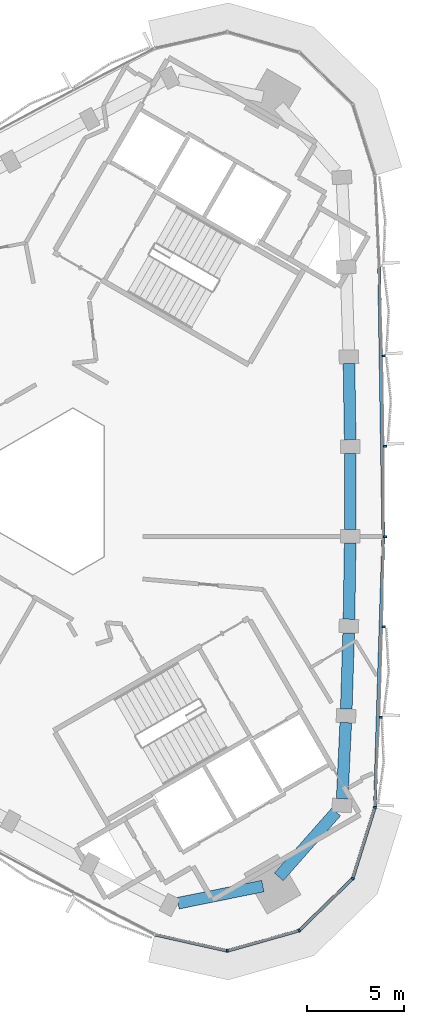
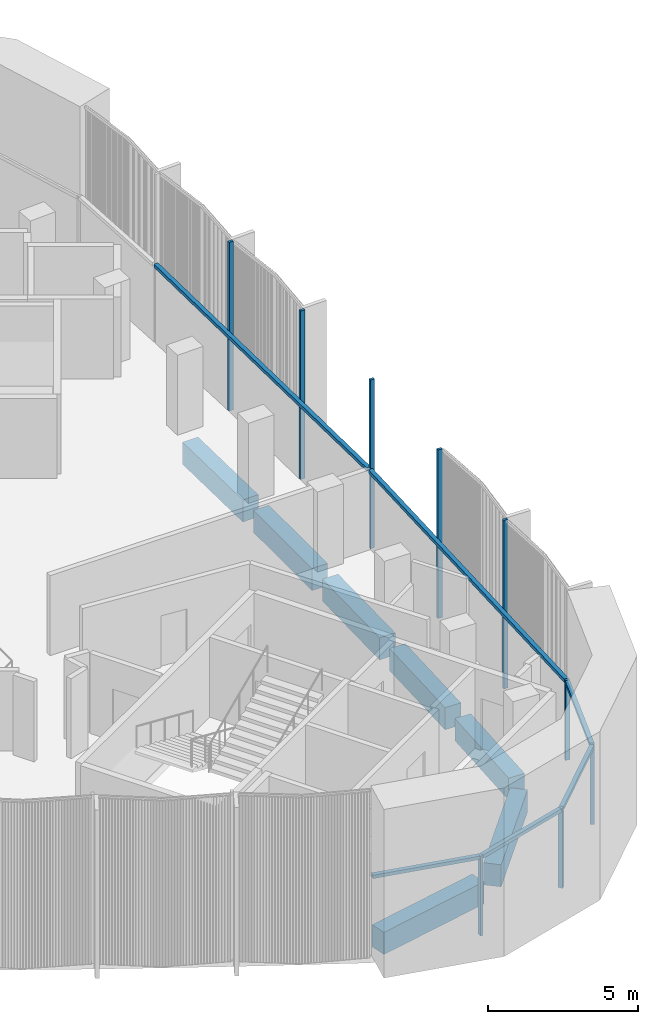
# One storey, part 3 of 13: 15 members, 7 beams, 2 elements without a shape of their own.
"""IFC4 building model written with IfcOpenShell, lengths in metres."""

from ifc_helpers import new_model, si_unit, direction, frame, origin, origin_2d, place, context, subcontext, project, spatial, rectangle, extrude, material, material_profile, profile_set, type_object, element, aggregate, save


model = new_model("IFC4")

# Units and contexts
model_context = context("Model", 3, precision=1e-05, world=origin(), true_north=direction((0.0, 1.0)))
body_context = subcontext(model_context, "Body", "Model", "MODEL_VIEW")
ifc_project = project(units=[si_unit("LENGTHUNIT", "METRE"), si_unit("AREAUNIT", "SQUARE_METRE"), si_unit("VOLUMEUNIT", "CUBIC_METRE"), si_unit("PLANEANGLEUNIT", "RADIAN"), si_unit("MASSUNIT", "GRAM", prefix="KILO")], contexts=[model_context])

# Site, building, storey
site_placement = place(None, origin())
site = spatial("IfcSite", under=ifc_project, at=site_placement, CompositionType="ELEMENT")
building_placement = place(site_placement, origin())
building = spatial("IfcBuilding", under=site, at=building_placement, Name="Tamra Quay Hotel Tower", CompositionType="ELEMENT")
storey_placement = place(building_placement, frame((0.0, 0.0, 291.0)))
storey = spatial("IfcBuildingStorey", under=building, at=storey_placement, Name="L73", CompositionType="ELEMENT", Elevation=291.0)

# Curtain wall, members
ifc_material_1 = material(Name="Aluminium 6063 anodised dark grey", Category="aluminium")
curtain_wall_type_1 = type_object("IfcCurtainWallType", Name="CW1 CURTAIN WALL", PredefinedType="NOTDEFINED", material=ifc_material_1)
curtain_wall_1_placement = place(storey_placement, origin())
curtain_wall_1 = element("IfcCurtainWall", 1, at=curtain_wall_1_placement, inside=storey, type_object=curtain_wall_type_1, Name="CW1 east face L73", PredefinedType="NOTDEFINED")
ifc_material_profile_1 = material_profile(ifc_material_1, rectangle(XDim=0.159912109375, YDim=0.10009765625, at=origin_2d()), Name="MULLION 100X160")
ifc_profile_set_1 = profile_set([ifc_material_profile_1], Name="Aluminium 6063 anodised dark grey")
member_type_1 = type_object("IfcMemberType", Name="MULLION CW1 Z6", PredefinedType="MULLION", material=ifc_profile_set_1)
member_1_placement = place(storey_placement, frame((16.89990234375, -16.210205078125, 0.0), z_axis=(0.0, 0.0, 1.0), x_axis=(0.984739919862, -0.174032440167, 0.0)))
member_1 = element("IfcMember", 2, at=member_1_placement, type_object=member_type_1, Name="CW1 mullion L73.E.1", PredefinedType="MULLION", context=body_context, shape_type="SweptSolid", body=[
    extrude(rectangle(XDim=0.159912109375, YDim=0.10009765625, at=origin_2d()), origin(), (0.0, 0.0, 1.0), 3.25),
])
member_2_placement = place(storey_placement, frame((17.19677734375, -11.583984375, 0.0), z_axis=(0.0, 0.0, 1.0), x_axis=(0.999237932992, -0.039032720501, 0.0)))
member_2 = element("IfcMember", 3, at=member_2_placement, type_object=member_type_1, Name="CW1 mullion L73.E.2", PredefinedType="MULLION", context=body_context, shape_type="SweptSolid", body=[
    extrude(rectangle(XDim=0.159912109375, YDim=0.10009765625, at=origin_2d()), origin(), (0.0, 0.0, 1.0), 6.85009765625),
])
member_3_placement = place(storey_placement, frame((17.341552734375, -6.9521484375, 0.0), z_axis=(0.0, 0.0, 1.0), x_axis=(0.999725296711, -0.023437813791, 0.0)))
member_3 = element("IfcMember", 4, at=member_3_placement, type_object=member_type_1, Name="CW1 mullion L73.E.3", PredefinedType="MULLION", context=body_context, shape_type="SweptSolid", body=[
    extrude(rectangle(XDim=0.159912109375, YDim=0.10009765625, at=origin_2d()), origin(), (0.0, 0.0, 1.0), 6.85009765625),
])
member_4_placement = place(storey_placement, frame((17.4140625, -2.317626953125, 0.0), z_axis=(0.0, 0.0, 1.0), x_axis=(0.999969451196, -0.007816436173, 0.0)))
member_4 = element("IfcMember", 5, at=member_4_placement, type_object=member_type_1, Name="CW1 mullion L73.E.4", PredefinedType="MULLION", context=body_context, shape_type="SweptSolid", body=[
    extrude(rectangle(XDim=0.159912109375, YDim=0.10009765625, at=origin_2d()), origin(), (0.0, 0.0, 1.0), 6.85009765625),
])
member_5_placement = place(storey_placement, frame((17.4140625, 2.317626953125, 0.0), z_axis=(0.0, 0.0, 1.0), x_axis=(0.999969451196, 0.007816436173, 0.0)))
member_5 = element("IfcMember", 6, at=member_5_placement, type_object=member_type_1, Name="CW1 mullion L73.E.5", PredefinedType="MULLION", context=body_context, shape_type="SweptSolid", body=[
    extrude(rectangle(XDim=0.159912109375, YDim=0.10009765625, at=origin_2d()), origin(), (0.0, 0.0, 1.0), 6.85009765625),
])
member_6_placement = place(storey_placement, frame((17.341552734375, 6.9521484375, 0.0), z_axis=(0.0, 0.0, 1.0), x_axis=(0.999725296711, 0.023437813791, 0.0)))
member_6 = element("IfcMember", 7, at=member_6_placement, type_object=member_type_1, Name="CW1 mullion L73.E.6", PredefinedType="MULLION", context=body_context, shape_type="SweptSolid", body=[
    extrude(rectangle(XDim=0.159912109375, YDim=0.10009765625, at=origin_2d()), origin(), (0.0, 0.0, 1.0), 6.85009765625),
])

curtain_wall_type_2 = type_object("IfcCurtainWallType", Name="CW3 CURTAIN WALL", PredefinedType="NOTDEFINED", material=ifc_material_1)
curtain_wall_2_placement = place(storey_placement, origin())
curtain_wall_2 = element("IfcCurtainWall", 8, at=curtain_wall_2_placement, inside=storey, type_object=curtain_wall_type_2, Name="CW3 south-west face L73", PredefinedType="NOTDEFINED")
ifc_material_profile_2 = material_profile(ifc_material_1, rectangle(XDim=0.159912109375, YDim=0.10009765625, at=origin_2d()), Name="MULLION 100X160")
ifc_profile_set_2 = profile_set([ifc_material_profile_2], Name="Aluminium 6063 anodised dark grey")
member_type_2 = type_object("IfcMemberType", Name="MULLION CW3 Z6", PredefinedType="MULLION", material=ifc_profile_set_2)
member_7_placement = place(storey_placement, frame((9.325927734375, -23.578857421875, 0.0), z_axis=(0.0, 0.0, 1.0), x_axis=(0.027468865497, -0.999622659521, 0.0)))
member_7 = element("IfcMember", 9, at=member_7_placement, type_object=member_type_2, Name="CW3 mullion L73.SW.9", PredefinedType="MULLION", context=body_context, shape_type="SweptSolid", body=[
    extrude(rectangle(XDim=0.159912109375, YDim=0.10009765625, at=origin_2d()), origin(), (0.0, 0.0, 1.0), 3.25),
])
member_8_placement = place(storey_placement, frame((13.01171875, -22.536865234375, 0.0), z_axis=(0.0, 0.0, 1.0), x_axis=(0.5, -0.866025403784, 0.0)))
member_8 = element("IfcMember", 10, at=member_8_placement, type_object=member_type_2, Name="CW3 mullion L73.SW.10", PredefinedType="MULLION", context=body_context, shape_type="SweptSolid", body=[
    extrude(rectangle(XDim=0.159912109375, YDim=0.10009765625, at=origin_2d()), origin(), (0.0, 0.0, 1.0), 3.25),
])
member_9_placement = place(storey_placement, frame((15.757080078125, -19.865966796875, 0.0), z_axis=(0.0, 0.0, 1.0), x_axis=(0.851964184595, -0.523600065094, 0.0)))
member_9 = element("IfcMember", 11, at=member_9_placement, type_object=member_type_2, Name="CW3 mullion L73.SW.11", PredefinedType="MULLION", context=body_context, shape_type="SweptSolid", body=[
    extrude(rectangle(XDim=0.159912109375, YDim=0.10009765625, at=origin_2d()), origin(), (0.0, 0.0, 1.0), 3.25),
])

# Beams
ifc_material_2 = material(Name="Concrete M60", Category="concrete")
ifc_material_profile_3 = material_profile(ifc_material_2, rectangle(XDim=0.60009765625, YDim=0.89990234375, at=origin_2d()), Name="SPANDREL BEAM RC 600x900")
ifc_profile_set_3 = profile_set([ifc_material_profile_3], Name="Concrete M60")
beam_type = type_object("IfcBeamType", Name="SPANDREL BEAM RC 600x900", PredefinedType="SPANDREL", material=ifc_profile_set_3)
beam_1_placement = place(storey_placement, frame((15.218994140625, -15.767333984375, -0.800048828125), z_axis=(0.04680507522, 0.998904041905, 0.0), x_axis=(-0.998904041905, 0.04680507522, 0.0)))
element("IfcBeam", 12, at=beam_1_placement, inside=storey, type_object=beam_type, Name="BM-SP6-000-L73", PredefinedType="SPANDREL", context=body_context, shape_type="SweptSolid", body=[
    extrude(rectangle(XDim=0.60009765625, YDim=0.89990234375, at=origin_2d()), origin(), (0.0, 0.0, 1.0), 3.906982421875),
])
beam_2_placement = place(storey_placement, frame((15.42919921875, -11.165283203125, -0.800048828125), z_axis=(0.031240604276, 0.999511893198, 0.0), x_axis=(-0.999511893198, 0.031240604276, 0.0)))
element("IfcBeam", 13, at=beam_2_placement, inside=storey, type_object=beam_type, Name="BM-SP6-001-L73", PredefinedType="SPANDREL", context=body_context, shape_type="SweptSolid", body=[
    extrude(rectangle(XDim=0.60009765625, YDim=0.89990234375, at=origin_2d()), origin(), (0.0, 0.0, 1.0), 3.907470703125),
])
beam_3_placement = place(storey_placement, frame((15.567626953125, -6.559814453125, -0.800048828125), z_axis=(0.015623093001, 0.999877952035, 0.0), x_axis=(-0.999877952035, 0.015623093001, 0.0)))
element("IfcBeam", 14, at=beam_3_placement, inside=storey, type_object=beam_type, Name="BM-SP6-002-L73", PredefinedType="SPANDREL", context=body_context, shape_type="SweptSolid", body=[
    extrude(rectangle(XDim=0.60009765625, YDim=0.89990234375, at=origin_2d()), origin(), (0.0, 0.0, 1.0), 3.90673828125),
])
beam_4_placement = place(storey_placement, frame((15.634033203125, -1.95361328125, -0.800048828125), z_axis=(0.0, 1.0, 0.0), x_axis=(-1.0, 0.0, 0.0)))
element("IfcBeam", 15, at=beam_4_placement, inside=storey, type_object=beam_type, Name="BM-SP6-003-L73", PredefinedType="SPANDREL", context=body_context, shape_type="SweptSolid", body=[
    extrude(rectangle(XDim=0.60009765625, YDim=0.89990234375, at=origin_2d()), origin(), (0.0, 0.0, 1.0), 3.9072265625),
])
beam_5_placement = place(storey_placement, frame((15.628662109375, 2.653564453125, -0.800048828125), z_axis=(-0.015623093001, 0.999877952035, 0.0), x_axis=(-0.999877952035, -0.015623093001, 0.0)))
element("IfcBeam", 16, at=beam_5_placement, inside=storey, type_object=beam_type, Name="BM-SP6-004-L73", PredefinedType="SPANDREL", context=body_context, shape_type="SweptSolid", body=[
    extrude(rectangle(XDim=0.60009765625, YDim=0.89990234375, at=origin_2d()), origin(), (0.0, 0.0, 1.0), 3.90673828125),
])
beam_6_placement = place(storey_placement, frame((6.79345703125, -21.1357421875, -0.800048828125), z_axis=(0.980114952618, 0.198430541133, 0.0), x_axis=(-0.198430541133, 0.980114952618, 0.0)))
element("IfcBeam", 17, at=beam_6_placement, inside=storey, type_object=beam_type, Name="BM-SP6-025-L73", PredefinedType="SPANDREL", context=body_context, shape_type="SweptSolid", body=[
    extrude(rectangle(XDim=0.60009765625, YDim=0.89990234375, at=origin_2d()), origin(), (0.0, 0.0, 1.0), 4.441650390625),
])
beam_7_placement = place(storey_placement, frame((11.96728515625, -19.781005859375, -0.800048828125), z_axis=(0.661856103448, 0.749630908066, 0.0), x_axis=(-0.749630908066, 0.661856103448, 0.0)))
element("IfcBeam", 18, at=beam_7_placement, inside=storey, type_object=beam_type, Name="BM-SP6-026-L73", PredefinedType="SPANDREL", context=body_context, shape_type="SweptSolid", body=[
    extrude(rectangle(XDim=0.60009765625, YDim=0.89990234375, at=origin_2d()), origin(), (0.0, 0.0, 1.0), 4.44189453125),
])

# Member
ifc_material_profile_4 = material_profile(ifc_material_1, rectangle(XDim=0.159912109375, YDim=0.139892578125, at=origin_2d()), Name="TRANSOM 160X140")
ifc_profile_set_4 = profile_set([ifc_material_profile_4], Name="Aluminium 6063 anodised dark grey")
member_type_3 = type_object("IfcMemberType", Name="TRANSOM CW1 Z6", PredefinedType="USERDEFINED", material=ifc_profile_set_4)
member_10_placement = place(storey_placement, frame((16.90234375, -16.160400390625, 3.179931640625), z_axis=(0.031224810835, 0.999512386711, 0.0), x_axis=(-0.999512386711, 0.031224810835, 0.0)))
member_10 = element("IfcMember", 19, at=member_10_placement, type_object=member_type_3, Name="CW1 transom L73.E.1", ObjectType="TRANSOM", PredefinedType="USERDEFINED", context=body_context, shape_type="SweptSolid", body=[
    extrude(rectangle(XDim=0.159912109375, YDim=0.139892578125, at=origin_2d()), origin(), (0.0, 0.0, 1.0), 13.80029296875),
])

member_11_placement = place(storey_placement, frame((17.333984375, -2.266845703125, 3.179931640625), z_axis=(-0.015621987524, 0.999877969307, 0.0), x_axis=(-0.999877969307, -0.015621987524, 0.0)))
member_11 = element("IfcMember", 20, at=member_11_placement, type_object=member_type_3, Name="CW1 transom L73.E.4", ObjectType="TRANSOM", PredefinedType="USERDEFINED", context=body_context, shape_type="SweptSolid", body=[
    extrude(rectangle(XDim=0.159912109375, YDim=0.139892578125, at=origin_2d()), origin(), (0.0, 0.0, 1.0), 13.799560546875),
])

aggregate(curtain_wall_1, [member_1, member_10, member_2, member_3, member_4, member_11, member_5, member_6])

ifc_material_profile_5 = material_profile(ifc_material_1, rectangle(XDim=0.159912109375, YDim=0.139892578125, at=origin_2d()), Name="TRANSOM 160X140")
ifc_profile_set_5 = profile_set([ifc_material_profile_5], Name="Aluminium 6063 anodised dark grey")
member_type_4 = type_object("IfcMemberType", Name="TRANSOM CW3 Z6", PredefinedType="USERDEFINED", material=ifc_profile_set_5)
member_12_placement = place(storey_placement, frame((5.63720703125, -22.751708984375, 3.179931640625), z_axis=(0.975757055509, -0.218856502356, 0.0), x_axis=(0.218856502356, 0.975757055509, 0.0)))
member_12 = element("IfcMember", 21, at=member_12_placement, type_object=member_type_4, Name="CW3 transom L73.SW.8", ObjectType="TRANSOM", PredefinedType="USERDEFINED", context=body_context, shape_type="SweptSolid", body=[
    extrude(rectangle(XDim=0.159912109375, YDim=0.139892578125, at=origin_2d()), origin(), (0.0, 0.0, 1.0), 3.730224609375),
])

member_13_placement = place(storey_placement, frame((9.3740234375, -23.5654296875, 3.179931640625), z_axis=(0.9622784918, 0.272066359955, 0.0), x_axis=(-0.272066359955, 0.9622784918, 0.0)))
member_13 = element("IfcMember", 22, at=member_13_placement, type_object=member_type_4, Name="CW3 transom L73.SW.9", ObjectType="TRANSOM", PredefinedType="USERDEFINED", context=body_context, shape_type="SweptSolid", body=[
    extrude(rectangle(XDim=0.159912109375, YDim=0.139892578125, at=origin_2d()), origin(), (0.0, 0.0, 1.0), 3.730224609375),
])

member_14_placement = place(storey_placement, frame((13.047607421875, -22.501953125, 3.179931640625), z_axis=(0.716759527702, 0.697320428102, 0.0), x_axis=(-0.697320428102, 0.716759527702, 0.0)))
member_14 = element("IfcMember", 23, at=member_14_placement, type_object=member_type_4, Name="CW3 transom L73.SW.10", ObjectType="TRANSOM", PredefinedType="USERDEFINED", context=body_context, shape_type="SweptSolid", body=[
    extrude(rectangle(XDim=0.159912109375, YDim=0.139892578125, at=origin_2d()), origin(), (0.0, 0.0, 1.0), 3.72998046875),
])

member_15_placement = place(storey_placement, frame((15.77197265625, -19.818359375, 3.179931640625), z_axis=(0.298383063983, 0.95444619918, 0.0), x_axis=(-0.95444619918, 0.298383063983, 0.0)))
member_15 = element("IfcMember", 24, at=member_15_placement, type_object=member_type_4, Name="CW3 transom L73.SW.11", ObjectType="TRANSOM", PredefinedType="USERDEFINED", context=body_context, shape_type="SweptSolid", body=[
    extrude(rectangle(XDim=0.159912109375, YDim=0.139892578125, at=origin_2d()), origin(), (0.0, 0.0, 1.0), 3.730224609375),
])

aggregate(curtain_wall_2, [member_12, member_7, member_13, member_8, member_14, member_9, member_15])

save(model, "model.ifc")
